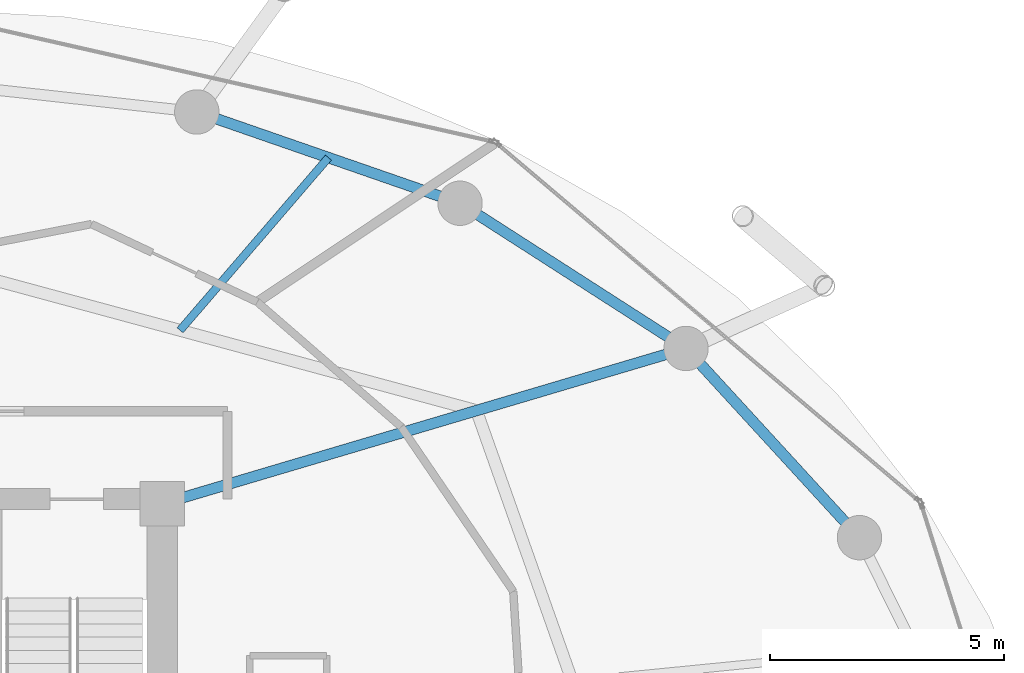
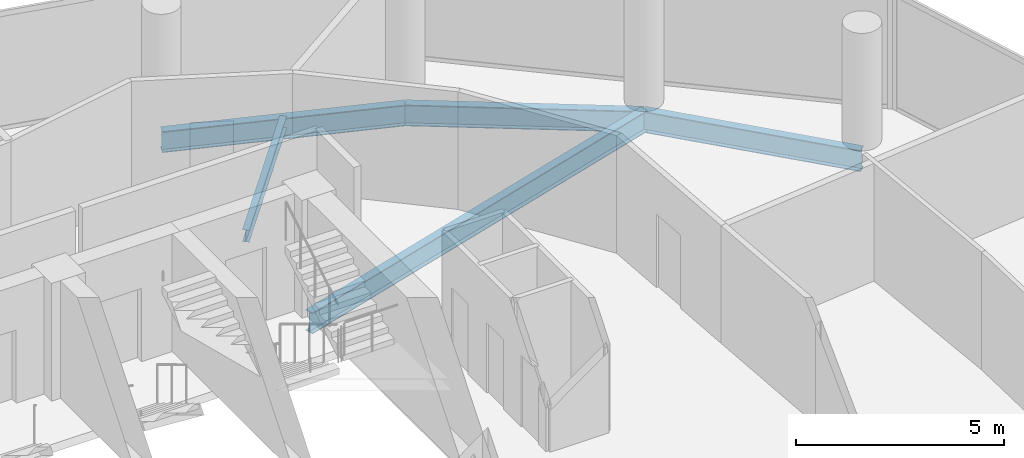
# One storey, part 18 of 26: 5 beams.
"""IFC4 building model written with IfcOpenShell, lengths in metres."""

from ifc_helpers import new_model, si_unit, direction, frame, origin, origin_2d, place, context, subcontext, project, spatial, i_section, extrude, material, material_profile, profile_set, type_object, element, save


model = new_model("IFC4")

# Units and contexts
model_context = context("Model", 3, precision=1e-05, world=origin(), true_north=direction((0.0, 1.0)))
body_context = subcontext(model_context, "Body", "Model", "MODEL_VIEW")
ifc_project = project(units=[si_unit("LENGTHUNIT", "METRE"), si_unit("AREAUNIT", "SQUARE_METRE"), si_unit("VOLUMEUNIT", "CUBIC_METRE"), si_unit("PLANEANGLEUNIT", "RADIAN"), si_unit("MASSUNIT", "GRAM", prefix="KILO")], contexts=[model_context])

# Site, building, storey
site_placement = place(None, origin())
site = spatial("IfcSite", under=ifc_project, at=site_placement, CompositionType="ELEMENT")
building_placement = place(site_placement, origin())
building = spatial("IfcBuilding", under=site, at=building_placement, Name="Nuhasar Tower", CompositionType="ELEMENT")
storey_placement = place(building_placement, frame((0.0, 0.0, 136.75)))
storey = spatial("IfcBuildingStorey", under=building, at=storey_placement, Name="L32", CompositionType="ELEMENT", Elevation=136.75)

# Beams
ifc_material = material(Name="Steel S355", Category="steel")
ifc_material_profile_1 = material_profile(ifc_material, i_section(OverallWidth=0.1708984375, OverallDepth=0.35205078125, WebThickness=0.0068359375, FlangeThickness=0.009765625, at=origin_2d()), Name="W14X30")
ifc_profile_set_1 = profile_set([ifc_material_profile_1], Name="Steel S355")
beam_type_1 = type_object("IfcBeamType", Name="BM-JST-W14X30", PredefinedType="JOIST", material=ifc_profile_set_1)
beam_1_placement = place(storey_placement, frame((44.68408203125, 41.011962890625, -0.426025390625), z_axis=(0.651690621509, 0.758484893612, 0.0), x_axis=(-0.758484893612, 0.651690621509, 0.0)))
element("IfcBeam", 1, at=beam_1_placement, inside=storey, type_object=beam_type_1, Name="L32 Secondary Floor Joist 05", PredefinedType="JOIST", context=body_context, shape_type="SweptSolid", body=[
    extrude(i_section(OverallWidth=0.1708984375, OverallDepth=0.35205078125, WebThickness=0.0068359375, FlangeThickness=0.009765625, at=origin_2d()), origin(), (0.0, 0.0, 1.0), 4.87158203125),
])
ifc_material_profile_2 = material_profile(ifc_material, i_section(OverallWidth=0.22900390625, OverallDepth=0.612060546875, WebThickness=0.011962890625, FlangeThickness=0.01953125, at=origin_2d()), Name="W24X84")
ifc_profile_set_2 = profile_set([ifc_material_profile_2], Name="Steel S355")
beam_type_2 = type_object("IfcBeamType", Name="BM-RAD-W24X84", PredefinedType="BEAM", material=ifc_profile_set_2)
beam_2_placement = place(storey_placement, frame((44.300048828125, 37.300048828125, -0.555908203125), z_axis=(0.958746492721, 0.284262489076, 0.0), x_axis=(-0.284262489076, 0.958746492721, 0.0)))
element("IfcBeam", 2, at=beam_2_placement, inside=storey, type_object=beam_type_2, Name="L32 Radial Floor Girder 05", PredefinedType="BEAM", context=body_context, shape_type="SweptSolid", body=[
    extrude(i_section(OverallWidth=0.22900390625, OverallDepth=0.612060546875, WebThickness=0.011962890625, FlangeThickness=0.01953125, at=origin_2d()), origin(), (0.0, 0.0, 1.0), 11.693359375),
])
ifc_material_profile_3 = material_profile(ifc_material, i_section(OverallWidth=0.22998046875, OverallDepth=0.616943359375, WebThickness=0.01318359375, FlangeThickness=0.022216796875, at=origin_2d()), Name="W24X94")
ifc_profile_set_3 = profile_set([ifc_material_profile_3], Name="Steel S355")
beam_type_3 = type_object("IfcBeamType", Name="BM-RING-W24X94", PredefinedType="SPANDREL", material=ifc_profile_set_3)
beam_3_placement = place(storey_placement, frame((59.221923828125, 36.574951171875, -0.55908203125), z_axis=(-0.675654174897, 0.737218716491, 0.0), x_axis=(-0.737218716491, -0.675654174897, 0.0)))
element("IfcBeam", 3, at=beam_3_placement, inside=storey, type_object=beam_type_3, Name="L32 Perimeter Ring Spandrel 03", PredefinedType="SPANDREL", context=body_context, shape_type="SweptSolid", body=[
    extrude(i_section(OverallWidth=0.22998046875, OverallDepth=0.616943359375, WebThickness=0.01318359375, FlangeThickness=0.022216796875, at=origin_2d()), origin(), (0.0, 0.0, 1.0), 5.492431640625),
])
beam_4_placement = place(storey_placement, frame((55.510986328125, 40.6240234375, -0.55908203125), z_axis=(-0.841327486207, 0.540525726448, 0.0), x_axis=(-0.540525726448, -0.841327486207, 0.0)))
element("IfcBeam", 4, at=beam_4_placement, inside=storey, type_object=beam_type_3, Name="L32 Perimeter Ring Spandrel 04", PredefinedType="SPANDREL", context=body_context, shape_type="SweptSolid", body=[
    extrude(i_section(OverallWidth=0.22998046875, OverallDepth=0.616943359375, WebThickness=0.01318359375, FlangeThickness=0.022216796875, at=origin_2d()), origin(), (0.0, 0.0, 1.0), 5.748046875),
])
beam_5_placement = place(storey_placement, frame((50.675048828125, 43.73095703125, -0.55908203125), z_axis=(-0.944801380051, 0.327643636066, 0.0), x_axis=(-0.327643636066, -0.944801380051, 0.0)))
element("IfcBeam", 5, at=beam_5_placement, inside=storey, type_object=beam_type_3, Name="L32 Perimeter Ring Spandrel 05", PredefinedType="SPANDREL", context=body_context, shape_type="SweptSolid", body=[
    extrude(i_section(OverallWidth=0.22998046875, OverallDepth=0.616943359375, WebThickness=0.01318359375, FlangeThickness=0.022216796875, at=origin_2d()), origin(), (0.0, 0.0, 1.0), 5.961181640625),
])

save(model, "model.ifc")
